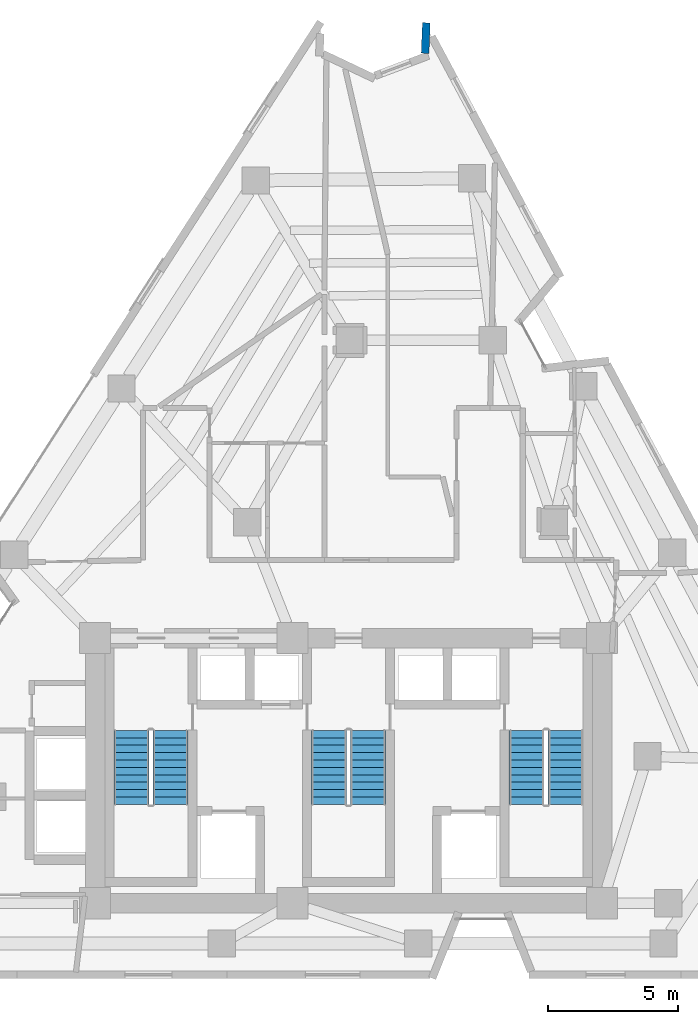
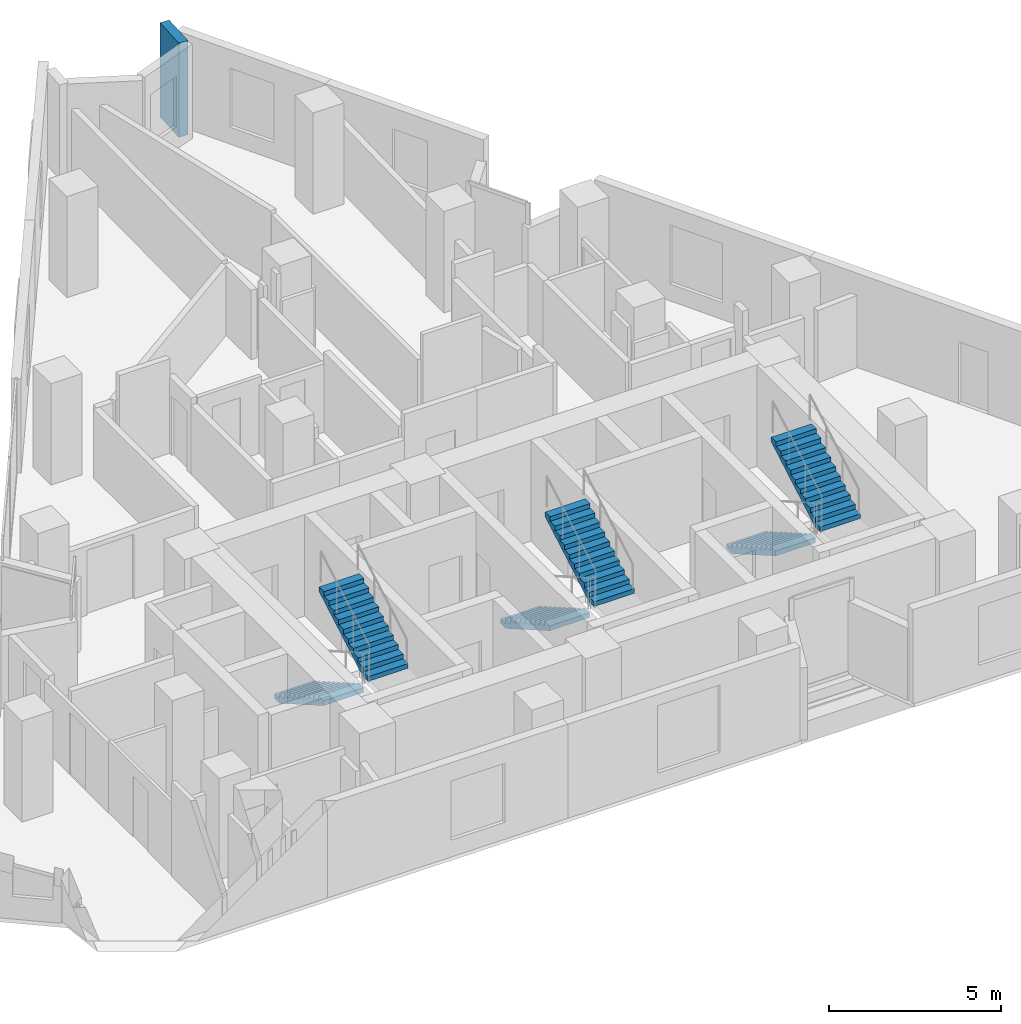
# One storey, part 9 of 11: 6 stair flights, 1 wall, 3 elements without a shape of their own.
"""IFC4 building model written with IfcOpenShell, lengths in metres."""

from ifc_helpers import new_model, si_unit, direction, frame, frame_2d, origin, place, context, subcontext, project, spatial, polyline, rectangle, outline, extrude, material, layer, layer_set, type_object, element, aggregate, save


model = new_model("IFC4")

# Units and contexts
model_context = context("Model", 3, precision=1e-05, world=origin(), true_north=direction((0.0, 1.0)))
body_context = subcontext(model_context, "Body", "Model", "MODEL_VIEW")
ifc_project = project(units=[si_unit("LENGTHUNIT", "METRE"), si_unit("AREAUNIT", "SQUARE_METRE"), si_unit("VOLUMEUNIT", "CUBIC_METRE"), si_unit("PLANEANGLEUNIT", "RADIAN"), si_unit("MASSUNIT", "GRAM", prefix="KILO")], contexts=[model_context])

# Site, building, storey
site_placement = place(None, origin())
site = spatial("IfcSite", under=ifc_project, at=site_placement, CompositionType="ELEMENT")
building_placement = place(site_placement, origin())
building = spatial("IfcBuilding", under=site, at=building_placement, Name="Almagre Mirador Tower", CompositionType="ELEMENT")
storey_placement = place(building_placement, frame((0.0, 0.0, 189.60009765625)))
storey = spatial("IfcBuildingStorey", under=building, at=storey_placement, Name="L49", CompositionType="ELEMENT", Elevation=189.60009765625)

# Wall
ifc_material_1 = material(Name="Precast concrete C50/60", Category="concrete")
ifc_layer = layer(ifc_material_1, 0.300048828125)
ifc_layer_set = layer_set([ifc_layer], Name="Precast concrete C50/60")
wall_type = type_object("IfcWallType", Name="WAL-EXT-300", PredefinedType="SOLIDWALL", material=ifc_layer_set)
wall_placement = place(storey_placement, frame((40.24462890625, 37.239013671875, 0.0), z_axis=(0.0, 0.0, 1.0), x_axis=(0.040939027533, 0.999161646594, 0.0)))
element("IfcWall", 1, at=wall_placement, inside=storey, type_object=wall_type, Name="L49 expressed almagre precast frame wall 08", PredefinedType="SOLIDWALL", context=body_context, shape_type="SweptSolid", body=[
    extrude(rectangle(XDim=1.1748046875, YDim=0.300048828125, at=frame_2d((0.58740234375, 0.0))), origin(), (0.0, 0.0, 1.0), 3.349853515625),
])

# Stair, stair flights
ifc_material_2 = material(Name="Concrete C45/55", Category="concrete")
stair_type = type_object("IfcStairType", Name="STR-DL-3600", PredefinedType="HALF_TURN_STAIR", material=ifc_material_2)
stair_1_placement = place(storey_placement, origin())
stair_1 = element("IfcStair", 2, at=stair_1_placement, inside=storey, type_object=stair_type, Name="L49 Protected exit stair ST-1", PredefinedType="HALF_TURN_STAIR")
ifc_material_3 = material(Name="Concrete C45/55", Category="concrete")
stair_flight_type = type_object("IfcStairFlightType", Name="FLT-DL-3600", PredefinedType="STRAIGHT", material=ifc_material_3)
stair_flight_1_placement = place(storey_placement, frame((28.949951171875, 11.199951171875, 0.0), z_axis=(0.0, 0.0, 1.0), x_axis=(0.0, -1.0, 0.0)))
stair_flight_1 = element("IfcStairFlight", 3, at=stair_flight_1_placement, type_object=stair_flight_type, Name="ST-1 flight 1", NumberOfRisers=11, NumberOfTreads=10, PredefinedType="STRAIGHT", RiserHeight=0.163636364, TreadLength=0.285, context=body_context, shape_type="SweptSolid", body=[
    extrude(outline(polyline([(0.0, 0.0), (0.0, 0.16357421875), (0.284912109375, 0.16357421875), (0.284912109375, 0.327392578125), (0.570068359375, 0.327392578125), (0.570068359375, 0.490966796875), (0.85498046875, 0.490966796875), (0.85498046875, 0.654541015625), (1.139892578125, 0.654541015625), (1.139892578125, 0.818115234375), (1.425048828125, 0.818115234375), (1.425048828125, 0.98193359375), (1.7099609375, 0.98193359375), (1.7099609375, 1.1455078125), (1.9951171875, 1.1455078125), (1.9951171875, 1.30908203125), (2.280029296875, 1.30908203125), (2.280029296875, 1.47265625), (2.56494140625, 1.47265625), (2.56494140625, 1.636474609375), (2.85009765625, 1.636474609375), (2.85009765625, 1.800048828125), (2.85009765625, 1.463623046875), (0.301025390625, 0.0), (0.0, 0.0)])), frame((0.0, 0.675048828125, 0.0), z_axis=(0.0, -1.0, 0.0), x_axis=(1.0, 0.0, 0.0)), (0.0, 0.0, 1.0), 1.35009765625),
])
stair_flight_2_placement = place(storey_placement, frame((30.449951171875, 8.35009765625, 1.7998046875), z_axis=(0.0, 0.0, 1.0), x_axis=(0.0, 1.0, 0.0)))
stair_flight_2 = element("IfcStairFlight", 4, at=stair_flight_2_placement, type_object=stair_flight_type, Name="ST-1 flight 2", NumberOfRisers=11, NumberOfTreads=10, PredefinedType="STRAIGHT", RiserHeight=0.163636364, TreadLength=0.285, context=body_context, shape_type="SweptSolid", body=[
    extrude(outline(polyline([(0.0, 0.0), (0.0, 0.16357421875), (0.284912109375, 0.16357421875), (0.284912109375, 0.327392578125), (0.570068359375, 0.327392578125), (0.570068359375, 0.490966796875), (0.85498046875, 0.490966796875), (0.85498046875, 0.654541015625), (1.139892578125, 0.654541015625), (1.139892578125, 0.818115234375), (1.425048828125, 0.818115234375), (1.425048828125, 0.98193359375), (1.7099609375, 0.98193359375), (1.7099609375, 1.1455078125), (1.9951171875, 1.1455078125), (1.9951171875, 1.30908203125), (2.280029296875, 1.30908203125), (2.280029296875, 1.47265625), (2.56494140625, 1.47265625), (2.56494140625, 1.636474609375), (2.85009765625, 1.636474609375), (2.85009765625, 1.800048828125), (2.85009765625, 1.463623046875), (0.301025390625, 0.0), (0.0, 0.0)])), frame((0.0, 0.675048828125, 0.0), z_axis=(0.0, -1.0, 0.0), x_axis=(1.0, 0.0, 0.0)), (0.0, 0.0, 1.0), 1.35009765625),
])
aggregate(stair_1, [stair_flight_1, stair_flight_2])

stair_2_placement = place(storey_placement, origin())
stair_2 = element("IfcStair", 5, at=stair_2_placement, inside=storey, type_object=stair_type, Name="L49 Protected exit stair ST-2", PredefinedType="HALF_TURN_STAIR")
stair_flight_3_placement = place(storey_placement, frame((36.550048828125, 11.199951171875, 0.0), z_axis=(0.0, 0.0, 1.0), x_axis=(0.0, -1.0, 0.0)))
stair_flight_3 = element("IfcStairFlight", 6, at=stair_flight_3_placement, type_object=stair_flight_type, Name="ST-2 flight 1", NumberOfRisers=11, NumberOfTreads=10, PredefinedType="STRAIGHT", RiserHeight=0.163636364, TreadLength=0.285, context=body_context, shape_type="SweptSolid", body=[
    extrude(outline(polyline([(0.0, 0.0), (0.0, 0.16357421875), (0.284912109375, 0.16357421875), (0.284912109375, 0.327392578125), (0.570068359375, 0.327392578125), (0.570068359375, 0.490966796875), (0.85498046875, 0.490966796875), (0.85498046875, 0.654541015625), (1.139892578125, 0.654541015625), (1.139892578125, 0.818115234375), (1.425048828125, 0.818115234375), (1.425048828125, 0.98193359375), (1.7099609375, 0.98193359375), (1.7099609375, 1.1455078125), (1.9951171875, 1.1455078125), (1.9951171875, 1.30908203125), (2.280029296875, 1.30908203125), (2.280029296875, 1.47265625), (2.56494140625, 1.47265625), (2.56494140625, 1.636474609375), (2.85009765625, 1.636474609375), (2.85009765625, 1.800048828125), (2.85009765625, 1.463623046875), (0.301025390625, 0.0), (0.0, 0.0)])), frame((0.0, 0.675048828125, 0.0), z_axis=(0.0, -1.0, 0.0), x_axis=(1.0, 0.0, 0.0)), (0.0, 0.0, 1.0), 1.35009765625),
])
stair_flight_4_placement = place(storey_placement, frame((38.050048828125, 8.35009765625, 1.7998046875), z_axis=(0.0, 0.0, 1.0), x_axis=(0.0, 1.0, 0.0)))
stair_flight_4 = element("IfcStairFlight", 7, at=stair_flight_4_placement, type_object=stair_flight_type, Name="ST-2 flight 2", NumberOfRisers=11, NumberOfTreads=10, PredefinedType="STRAIGHT", RiserHeight=0.163636364, TreadLength=0.285, context=body_context, shape_type="SweptSolid", body=[
    extrude(outline(polyline([(0.0, 0.0), (0.0, 0.16357421875), (0.284912109375, 0.16357421875), (0.284912109375, 0.327392578125), (0.570068359375, 0.327392578125), (0.570068359375, 0.490966796875), (0.85498046875, 0.490966796875), (0.85498046875, 0.654541015625), (1.139892578125, 0.654541015625), (1.139892578125, 0.818115234375), (1.425048828125, 0.818115234375), (1.425048828125, 0.98193359375), (1.7099609375, 0.98193359375), (1.7099609375, 1.1455078125), (1.9951171875, 1.1455078125), (1.9951171875, 1.30908203125), (2.280029296875, 1.30908203125), (2.280029296875, 1.47265625), (2.56494140625, 1.47265625), (2.56494140625, 1.636474609375), (2.85009765625, 1.636474609375), (2.85009765625, 1.800048828125), (2.85009765625, 1.463623046875), (0.301025390625, 0.0), (0.0, 0.0)])), frame((0.0, 0.675048828125, 0.0), z_axis=(0.0, -1.0, 0.0), x_axis=(1.0, 0.0, 0.0)), (0.0, 0.0, 1.0), 1.35009765625),
])
aggregate(stair_2, [stair_flight_3, stair_flight_4])

stair_3_placement = place(storey_placement, origin())
stair_3 = element("IfcStair", 8, at=stair_3_placement, inside=storey, type_object=stair_type, Name="L49 Protected exit stair ST-3", PredefinedType="HALF_TURN_STAIR")
stair_flight_5_placement = place(storey_placement, frame((44.14990234375, 11.199951171875, 0.0), z_axis=(0.0, 0.0, 1.0), x_axis=(0.0, -1.0, 0.0)))
stair_flight_5 = element("IfcStairFlight", 9, at=stair_flight_5_placement, type_object=stair_flight_type, Name="ST-3 flight 1", NumberOfRisers=11, NumberOfTreads=10, PredefinedType="STRAIGHT", RiserHeight=0.163636364, TreadLength=0.285, context=body_context, shape_type="SweptSolid", body=[
    extrude(outline(polyline([(0.0, 0.0), (0.0, 0.16357421875), (0.284912109375, 0.16357421875), (0.284912109375, 0.327392578125), (0.570068359375, 0.327392578125), (0.570068359375, 0.490966796875), (0.85498046875, 0.490966796875), (0.85498046875, 0.654541015625), (1.139892578125, 0.654541015625), (1.139892578125, 0.818115234375), (1.425048828125, 0.818115234375), (1.425048828125, 0.98193359375), (1.7099609375, 0.98193359375), (1.7099609375, 1.1455078125), (1.9951171875, 1.1455078125), (1.9951171875, 1.30908203125), (2.280029296875, 1.30908203125), (2.280029296875, 1.47265625), (2.56494140625, 1.47265625), (2.56494140625, 1.636474609375), (2.85009765625, 1.636474609375), (2.85009765625, 1.800048828125), (2.85009765625, 1.463623046875), (0.301025390625, 0.0), (0.0, 0.0)])), frame((0.0, 0.675048828125, 0.0), z_axis=(0.0, -1.0, 0.0), x_axis=(1.0, 0.0, 0.0)), (0.0, 0.0, 1.0), 1.35009765625),
])
stair_flight_6_placement = place(storey_placement, frame((45.64990234375, 8.35009765625, 1.7998046875), z_axis=(0.0, 0.0, 1.0), x_axis=(0.0, 1.0, 0.0)))
stair_flight_6 = element("IfcStairFlight", 10, at=stair_flight_6_placement, type_object=stair_flight_type, Name="ST-3 flight 2", NumberOfRisers=11, NumberOfTreads=10, PredefinedType="STRAIGHT", RiserHeight=0.163636364, TreadLength=0.285, context=body_context, shape_type="SweptSolid", body=[
    extrude(outline(polyline([(0.0, 0.0), (0.0, 0.16357421875), (0.284912109375, 0.16357421875), (0.284912109375, 0.327392578125), (0.570068359375, 0.327392578125), (0.570068359375, 0.490966796875), (0.85498046875, 0.490966796875), (0.85498046875, 0.654541015625), (1.139892578125, 0.654541015625), (1.139892578125, 0.818115234375), (1.425048828125, 0.818115234375), (1.425048828125, 0.98193359375), (1.7099609375, 0.98193359375), (1.7099609375, 1.1455078125), (1.9951171875, 1.1455078125), (1.9951171875, 1.30908203125), (2.280029296875, 1.30908203125), (2.280029296875, 1.47265625), (2.56494140625, 1.47265625), (2.56494140625, 1.636474609375), (2.85009765625, 1.636474609375), (2.85009765625, 1.800048828125), (2.85009765625, 1.463623046875), (0.301025390625, 0.0), (0.0, 0.0)])), frame((0.0, 0.675048828125, 0.0), z_axis=(0.0, -1.0, 0.0), x_axis=(1.0, 0.0, 0.0)), (0.0, 0.0, 1.0), 1.35009765625),
])
aggregate(stair_3, [stair_flight_5, stair_flight_6])

save(model, "model.ifc")
